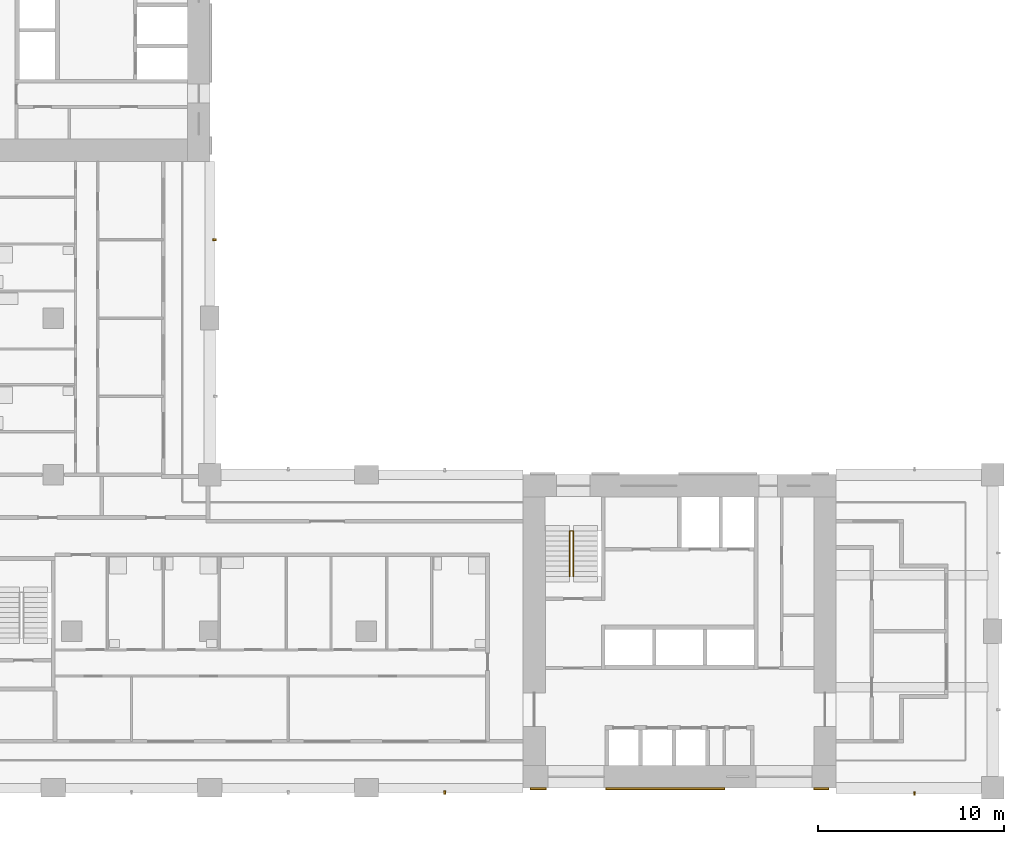
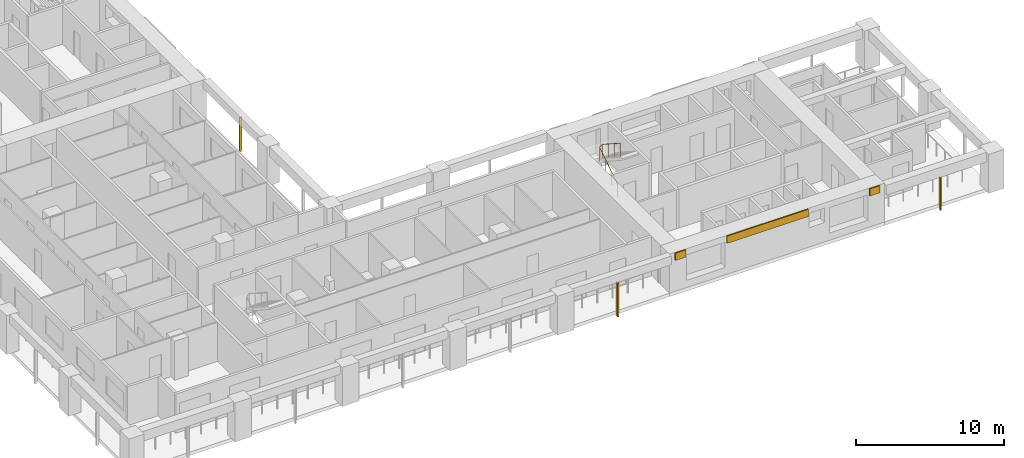
# One storey, part 11 of 16: 6 shading devices, 1 railing.
"""IFC4 building model written with IfcOpenShell, lengths in metres."""

from ifc_helpers import new_model, si_unit, direction, frame, origin, origin_2d, place, context, subcontext, project, spatial, rectangle, circle, extrude, material, layer, layer_set, material_profile, profile_set, type_object, element, save


model = new_model("IFC4")

# Units and contexts
model_context = context("Model", 3, precision=1e-05, world=origin(), true_north=direction((0.0, 1.0)))
body_context = subcontext(model_context, "Body", "Model", "MODEL_VIEW")
ifc_project = project(units=[si_unit("LENGTHUNIT", "METRE"), si_unit("AREAUNIT", "SQUARE_METRE"), si_unit("VOLUMEUNIT", "CUBIC_METRE"), si_unit("PLANEANGLEUNIT", "RADIAN"), si_unit("MASSUNIT", "GRAM", prefix="KILO")], contexts=[model_context])

# Site, building, storey
site_placement = place(None, origin())
site = spatial("IfcSite", under=ifc_project, at=site_placement, CompositionType="ELEMENT")
building_placement = place(site_placement, origin())
building = spatial("IfcBuilding", under=site, at=building_placement, Name="Vermilion Gate Residences", CompositionType="ELEMENT")
storey_placement = place(building_placement, frame((0.0, 0.0, 126.699951171875)))
storey = spatial("IfcBuildingStorey", under=building, at=storey_placement, Name="L32", CompositionType="ELEMENT", Elevation=126.699951171875)

# Railing
ifc_material_1 = material(Name="Steel S355", Category="steel")
railing_type = type_object("IfcRailingType", Name="STAIR GUARD 1100 STEEL", PredefinedType="GUARDRAIL", material=ifc_material_1)
railing_placement = place(storey_placement, frame((44.5, 19.75, 0.175048828125)))
element("IfcRailing", 1, at=railing_placement, inside=storey, type_object=railing_type, Name="Stair well guard STA1-32", PredefinedType="GUARDRAIL", context=body_context, shape_type="SweptSolid", body=[
    extrude(circle(Radius=0.02392578125, at=origin_2d()), frame((0.0, 0.0, 1.076171875), z_axis=(0.0, 0.839153699163, 0.543894354798), x_axis=(-1.0, 0.0, 0.0)), (0.0, 0.0, 1.0), 2.895751953125),
    extrude(circle(Radius=0.02392578125, at=origin_2d()), frame((0.0, 2.429931640625, 2.65087890625), z_axis=(0.752405939678, 0.0, 0.658699705433), x_axis=(0.0, 1.0, 0.0)), (0.0, 0.0, 1.0), 0.265869140625),
    extrude(circle(Radius=0.02392578125, at=origin_2d()), frame((0.199951171875, 2.429931640625, 2.826171875), z_axis=(0.0, -0.839153699163, 0.543894354798), x_axis=(1.0, 0.0, 0.0)), (0.0, 0.0, 1.0), 2.895751953125),
    extrude(circle(Radius=0.02099609375, at=origin_2d()), origin(), (0.0, 0.0, 1.0), 1.052001953125),
    extrude(circle(Radius=0.02099609375, at=origin_2d()), frame((0.0, 0.81005859375, 0.52490234375)), (0.0, 0.0, 1.0), 1.052001953125),
    extrude(circle(Radius=0.02099609375, at=origin_2d()), frame((0.0, 1.619873046875, 1.050048828125)), (0.0, 0.0, 1.0), 1.052001953125),
    extrude(circle(Radius=0.02099609375, at=origin_2d()), frame((0.0, 2.429931640625, 1.574951171875)), (0.0, 0.0, 1.0), 1.052001953125),
    extrude(circle(Radius=0.02099609375, at=origin_2d()), frame((0.199951171875, 2.429931640625, 1.75)), (0.0, 0.0, 1.0), 1.052001953125),
    extrude(circle(Radius=0.02099609375, at=origin_2d()), frame((0.199951171875, 1.619873046875, 2.27490234375)), (0.0, 0.0, 1.0), 1.052001953125),
    extrude(circle(Radius=0.02099609375, at=origin_2d()), frame((0.199951171875, 0.81005859375, 2.800048828125)), (0.0, 0.0, 1.0), 1.052001953125),
    extrude(circle(Radius=0.02099609375, at=origin_2d()), frame((0.199951171875, 0.0, 3.324951171875)), (0.0, 0.0, 1.0), 1.052001953125),
])

# Shading devices
ifc_material_2 = material(Name="Extruded terracotta", Category="masonry")
ifc_material_profile = material_profile(ifc_material_2, rectangle(XDim=0.199951171875, YDim=0.10009765625, at=origin_2d()), Name="BAGUETTE 100 X 200")
ifc_profile_set = profile_set([ifc_material_profile], Name="Extruded terracotta")
shading_device_type_1 = type_object("IfcShadingDeviceType", Name="TERRACOTTA BAGUETTE 100 X 200", PredefinedType="JALOUSIE", material=ifc_profile_set)
shading_device_1_placement = place(storey_placement, frame((37.800048828125, 8.14990234375, -0.280029296875), z_axis=(0.0, 0.0, 1.0), x_axis=(0.0, 1.0, 0.0)))
element("IfcShadingDevice", 2, at=shading_device_1_placement, inside=storey, type_object=shading_device_type_1, Name="BAGUETTE", PredefinedType="JALOUSIE", context=body_context, shape_type="SweptSolid", body=[
    extrude(rectangle(XDim=0.199951171875, YDim=0.10009765625, at=origin_2d()), origin(), (0.0, 0.0, 1.0), 2.800048828125),
])
shading_device_2_placement = place(storey_placement, frame((63.0, 8.10009765625, -0.280029296875), z_axis=(0.0, 0.0, 1.0), x_axis=(0.0, 1.0, 0.0)))
element("IfcShadingDevice", 3, at=shading_device_2_placement, inside=storey, type_object=shading_device_type_1, Name="BAGUETTE", PredefinedType="JALOUSIE", context=body_context, shape_type="SweptSolid", body=[
    extrude(rectangle(XDim=0.199951171875, YDim=0.10009765625, at=origin_2d()), origin(), (0.0, 0.0, 1.0), 2.7001953125),
])
shading_device_3_placement = place(storey_placement, frame((25.449951171875, 37.800048828125, -0.280029296875), z_axis=(0.0, 0.0, 1.0), x_axis=(-1.0, 0.0, 0.0)))
element("IfcShadingDevice", 4, at=shading_device_3_placement, inside=storey, type_object=shading_device_type_1, Name="BAGUETTE", PredefinedType="JALOUSIE", context=body_context, shape_type="SweptSolid", body=[
    extrude(rectangle(XDim=0.199951171875, YDim=0.10009765625, at=origin_2d()), origin(), (0.0, 0.0, 1.0), 2.800048828125),
])
ifc_material_3 = material(Name="Extruded terracotta", Category="masonry")
ifc_layer = layer(ifc_material_3, 0.10009765625)
ifc_layer_set = layer_set([ifc_layer], Name="TERRACOTTA SPANDREL BAND 600 X 100")
shading_device_type_2 = type_object("IfcShadingDeviceType", Name="TERRACOTTA SPANDREL BAND 600 X 100", PredefinedType="USERDEFINED", material=ifc_layer_set)
shading_device_4_placement = place(storey_placement, frame((42.824951171875, 8.35009765625, 2.6201171875), z_axis=(0.0, 0.0, 1.0), x_axis=(1.0, 0.0, 0.0)))
element("IfcShadingDevice", 5, at=shading_device_4_placement, inside=storey, type_object=shading_device_type_2, Name="SPANDREL BAND", ObjectType="BAND", PredefinedType="USERDEFINED", context=body_context, shape_type="SweptSolid", body=[
    extrude(rectangle(XDim=0.85009765625, YDim=0.10009765625, at=origin_2d()), origin(), (0.0, 0.0, 1.0), 0.60009765625),
])
shading_device_5_placement = place(storey_placement, frame((49.6337890625, 8.35009765625, 2.6201171875), z_axis=(0.0, 0.0, 1.0), x_axis=(1.0, 0.0, 0.0)))
element("IfcShadingDevice", 6, at=shading_device_5_placement, inside=storey, type_object=shading_device_type_2, Name="SPANDREL BAND", ObjectType="BAND", PredefinedType="USERDEFINED", context=body_context, shape_type="SweptSolid", body=[
    extrude(rectangle(XDim=6.367431640625, YDim=0.10009765625, at=origin_2d()), origin(), (0.0, 0.0, 1.0), 0.60009765625),
])
shading_device_6_placement = place(storey_placement, frame((58.0, 8.35009765625, 2.6201171875), z_axis=(0.0, 0.0, 1.0), x_axis=(1.0, 0.0, 0.0)))
element("IfcShadingDevice", 7, at=shading_device_6_placement, inside=storey, type_object=shading_device_type_2, Name="SPANDREL BAND", ObjectType="BAND", PredefinedType="USERDEFINED", context=body_context, shape_type="SweptSolid", body=[
    extrude(rectangle(XDim=0.800048828125, YDim=0.10009765625, at=origin_2d()), origin(), (0.0, 0.0, 1.0), 0.60009765625),
])

save(model, "model.ifc")
